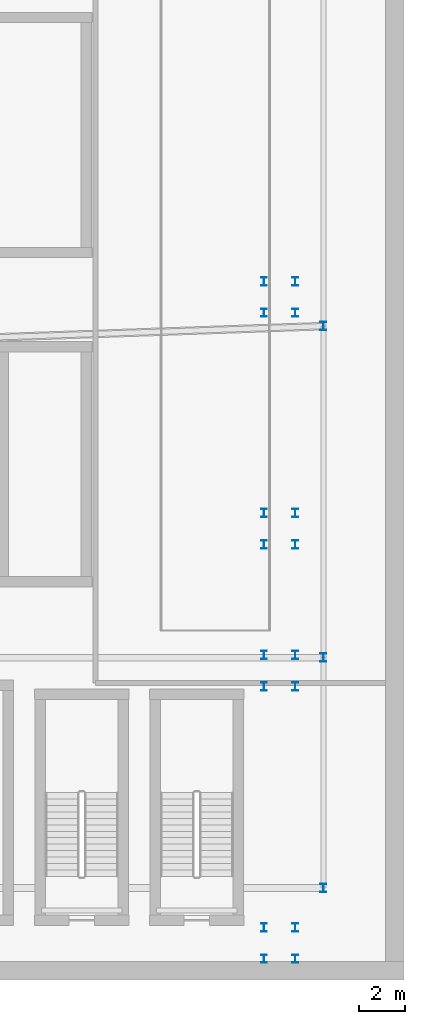
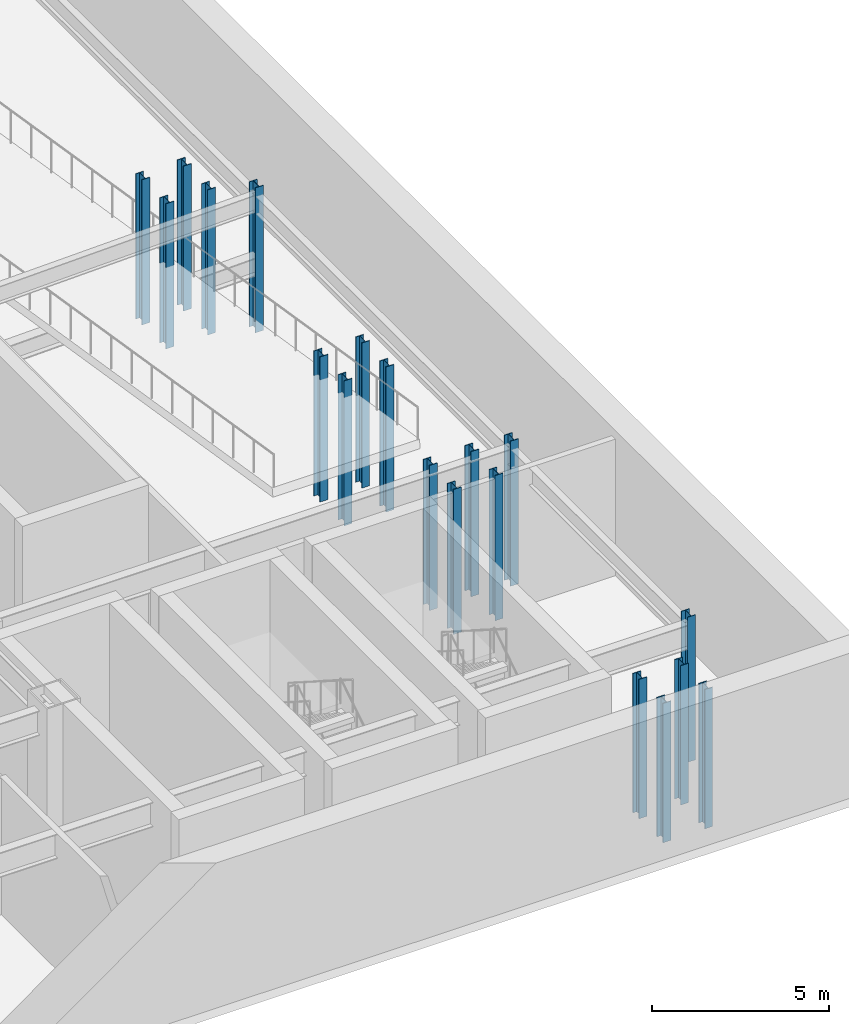
# One storey, part 5 of 16: 19 columns.
"""IFC4 building model written with IfcOpenShell, lengths in metres."""

from ifc_helpers import new_model, si_unit, derived_unit, direction, frame, origin, origin_2d, place, context, subcontext, project, spatial, i_section, extrude, source, transform, mapped, material, material_profile, profile_set, type_object, element, save


model = new_model("IFC4")

# Units and contexts
model_context = context("Model", 3, precision=1e-05, world=origin(), true_north=direction((0.0, 1.0)))
body_context = subcontext(model_context, "Body", "Model", "MODEL_VIEW")
ifc_project = project(units=[si_unit("LENGTHUNIT", "METRE"), si_unit("AREAUNIT", "SQUARE_METRE"), si_unit("VOLUMEUNIT", "CUBIC_METRE"), si_unit("PLANEANGLEUNIT", "RADIAN"), si_unit("MASSUNIT", "GRAM", prefix="KILO"), derived_unit("THERMALTRANSMITTANCEUNIT", [(si_unit("POWERUNIT", "WATT"), 1), (si_unit("LENGTHUNIT", "METRE"), -2), (si_unit("THERMODYNAMICTEMPERATUREUNIT", "KELVIN"), -1)])], contexts=[model_context])

# Site, building, storey
site_placement = place(None, origin())
site = spatial("IfcSite", under=ifc_project, at=site_placement, CompositionType="ELEMENT")
building_placement = place(site_placement, origin())
building = spatial("IfcBuilding", under=site, at=building_placement, Name="Skarnbrae Concourse Arena and Tower", CompositionType="ELEMENT")
storey_placement = place(building_placement, frame((0.0, 0.0, -5.0)))
storey = spatial("IfcBuildingStorey", under=building, at=storey_placement, Name="B01", CompositionType="ELEMENT", Elevation=-5.0)

# Columns
ifc_material = material(Name="Steel CSA G40.21 350W", Category="steel")
ifc_material_profile = material_profile(ifc_material, i_section(OverallWidth=0.257080078125, OverallDepth=0.363037109375, WebThickness=0.012939453125, FlangeThickness=0.021728515625, at=origin_2d()), Name="W360X122")
ifc_profile_set = profile_set([ifc_material_profile], Name="Steel CSA G40.21 350W")
column_type = type_object("IfcColumnType", Name="COL-POD-W360X122", PredefinedType="COLUMN", material=ifc_profile_set)
shared_shape_1 = source(origin(), body_context, "Body", "SweptSolid", [
    extrude(i_section(OverallWidth=0.257080078125, OverallDepth=0.363037109375, WebThickness=0.012939453125, FlangeThickness=0.021728515625, at=origin_2d()), origin(), (0.0, 0.0, 1.0), 5.0),
])
for number, where, z_axis, x_axis, name in (
    (1, (78.5, 4.0, 0.0), (0.0, 0.0, 1.0), (1.0, 0.0, 0.0), "B01 Podium mega-column PC-EP1"),
    (2, (78.5, 14.0, 0.0), (0.0, 0.0, 1.0), (1.0, 0.0, 0.0), "B01 Podium mega-column PC-EP2"),
    (3, (78.5, 28.39990234375, 0.0), (0.0, 0.0, 1.0), (1.0, 0.0, 0.0), "B01 Podium mega-column PC-EP3"),
    (4, (75.919921875, 12.75, 0.0), (0.0, 0.0, 1.0), (1.0, 0.0, 0.0), "B01 Concourse stair ST-CONC-1-L00 TOP post 11"),
    (5, (75.919921875, 14.110107421875, 0.0), (0.0, 0.0, 1.0), (1.0, 0.0, 0.0), "B01 Concourse stair ST-CONC-1-L00 TOP post 12"),
    (6, (77.280029296875, 12.75, 0.0), (0.0, 0.0, 1.0), (1.0, 0.0, 0.0), "B01 Concourse stair ST-CONC-1-L00 TOP post 21"),
    (7, (77.280029296875, 14.110107421875, 0.0), (0.0, 0.0, 1.0), (1.0, 0.0, 0.0), "B01 Concourse stair ST-CONC-1-L00 TOP post 22"),
    (8, (75.919921875, 18.919921875, 0.0), (0.0, 0.0, 1.0), (1.0, 0.0, 0.0), "B01 Concourse stair ST-CONC-1-L01 BOT post 11"),
    (9, (75.919921875, 20.280029296875, 0.0), (0.0, 0.0, 1.0), (1.0, 0.0, 0.0), "B01 Concourse stair ST-CONC-1-L01 BOT post 12"),
    (10, (77.280029296875, 18.919921875, 0.0), (0.0, 0.0, 1.0), (1.0, 0.0, 0.0), "B01 Concourse stair ST-CONC-1-L01 BOT post 21"),
    (11, (77.280029296875, 20.280029296875, 0.0), (0.0, 0.0, 1.0), (1.0, 0.0, 0.0), "B01 Concourse stair ST-CONC-1-L01 BOT post 22"),
    (12, (75.919921875, 28.97998046875, 0.0), (0.0, 0.0, 1.0), (1.0, 0.0, 0.0), "B01 Concourse stair ST-CONC-1-L01 TOP post 11"),
    (13, (75.919921875, 30.340087890625, 0.0), (0.0, 0.0, 1.0), (1.0, 0.0, 0.0), "B01 Concourse stair ST-CONC-1-L01 TOP post 12"),
    (14, (77.280029296875, 28.97998046875, 0.0), (0.0, 0.0, 1.0), (1.0, 0.0, 0.0), "B01 Concourse stair ST-CONC-1-L01 TOP post 21"),
    (15, (77.280029296875, 30.340087890625, 0.0), (0.0, 0.0, 1.0), (1.0, 0.0, 0.0), "B01 Concourse stair ST-CONC-1-L01 TOP post 22"),
):
    element("IfcColumn", number, at=place(storey_placement, frame(where, z_axis=z_axis, x_axis=x_axis)), inside=storey, type_object=column_type, Name=name, PredefinedType="COLUMN", context=body_context, shape_type="MappedRepresentation", body=[
        mapped(shared_shape_1, transform((0.0, 0.0, 0.0))),
    ])
shared_shape_2 = source(origin(), body_context, "Body", "SweptSolid", [
    extrude(i_section(OverallWidth=0.257080078125, OverallDepth=0.363037109375, WebThickness=0.012939453125, FlangeThickness=0.021728515625, at=origin_2d()), origin(), (0.0, 0.0, 1.0), 4.800048828125),
])
for number, where, z_axis, x_axis, name in (
    (16, (75.919921875, 0.919921875, 0.0), (0.0, 0.0, 1.0), (1.0, 0.0, 0.0), "B01 Concourse stair ST-CONC-1-L00 BOT post 11"),
    (17, (75.919921875, 2.280029296875, 0.0), (0.0, 0.0, 1.0), (1.0, 0.0, 0.0), "B01 Concourse stair ST-CONC-1-L00 BOT post 12"),
    (18, (77.280029296875, 0.919921875, 0.0), (0.0, 0.0, 1.0), (1.0, 0.0, 0.0), "B01 Concourse stair ST-CONC-1-L00 BOT post 21"),
    (19, (77.280029296875, 2.280029296875, 0.0), (0.0, 0.0, 1.0), (1.0, 0.0, 0.0), "B01 Concourse stair ST-CONC-1-L00 BOT post 22"),
):
    element("IfcColumn", number, at=place(storey_placement, frame(where, z_axis=z_axis, x_axis=x_axis)), inside=storey, type_object=column_type, Name=name, PredefinedType="COLUMN", context=body_context, shape_type="MappedRepresentation", body=[
        mapped(shared_shape_2, transform((0.0, 0.0, 0.0))),
    ])

save(model, "model.ifc")
